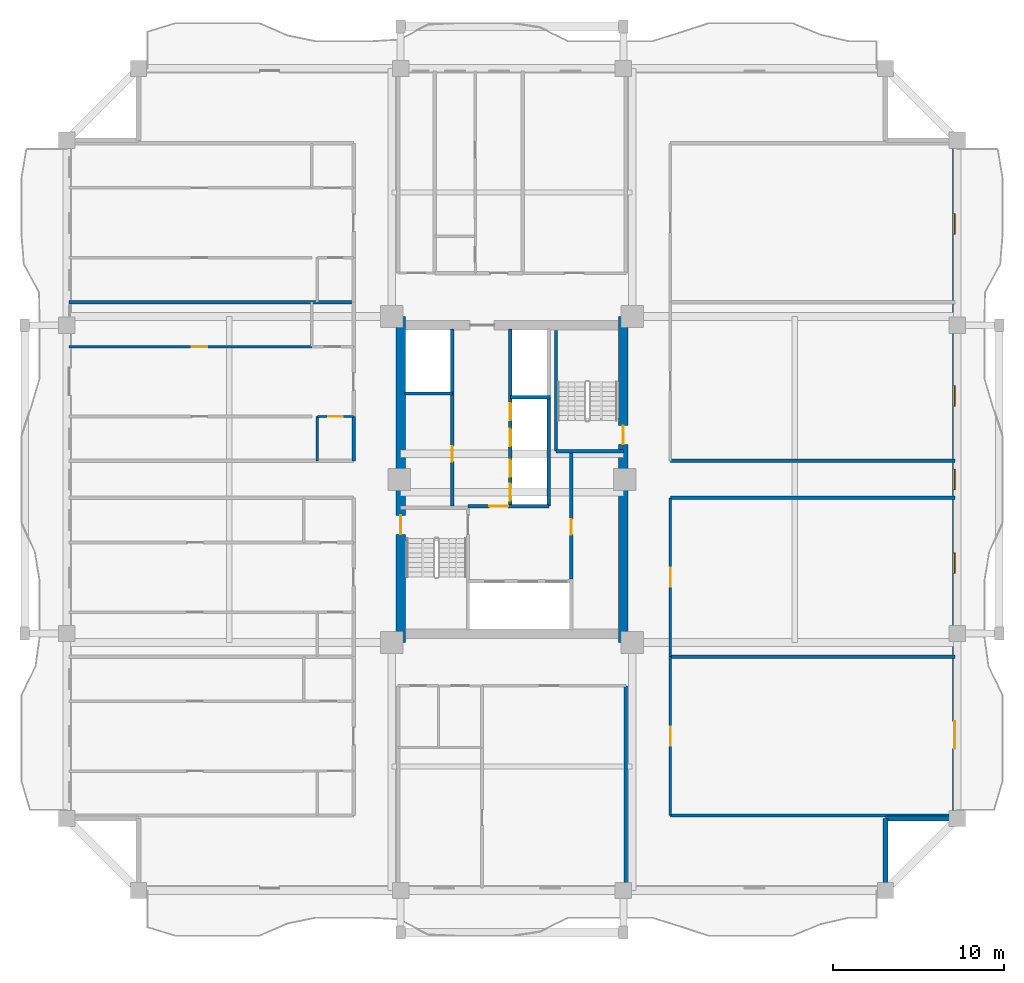
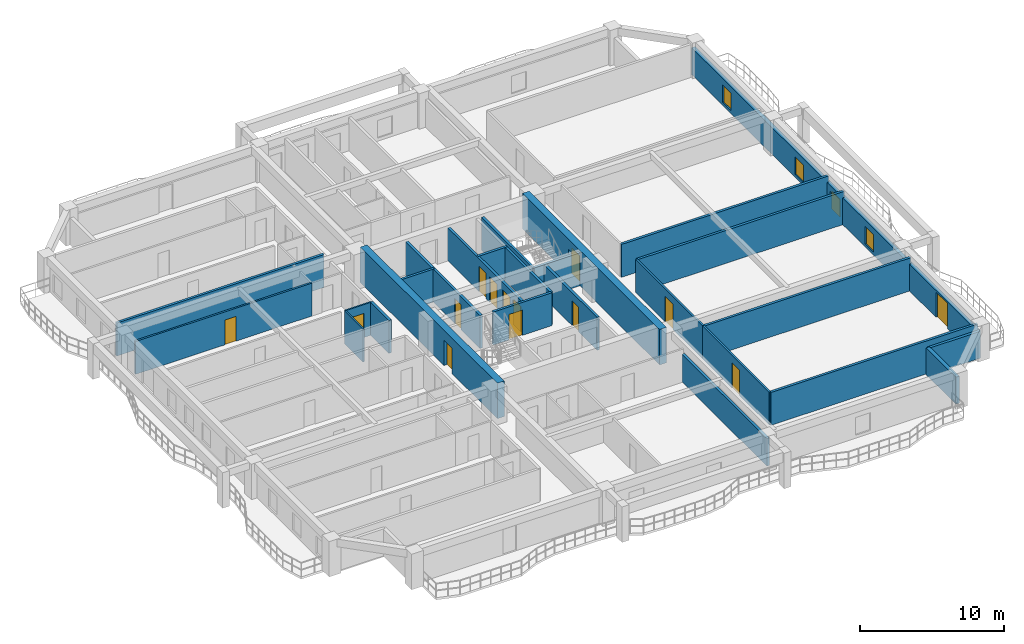
# One storey, part 4 of 11: 26 walls, 14 doors, 4 windows, 18 openings.
"""IFC4 building model written with IfcOpenShell, lengths in metres."""

from ifc_helpers import new_model, si_unit, direction, frame, frame_2d, origin, place, context, subcontext, project, spatial, rectangle, extrude, source, transform, mapped, material, layer, layer_set, type_object, element, fill, save


model = new_model("IFC4")

# Units and contexts
model_context = context("Model", 3, precision=1e-05, world=origin(), true_north=direction((0.0, 1.0)))
body_context = subcontext(model_context, "Body", "Model", "MODEL_VIEW")
ifc_project = project(units=[si_unit("LENGTHUNIT", "METRE"), si_unit("AREAUNIT", "SQUARE_METRE"), si_unit("VOLUMEUNIT", "CUBIC_METRE"), si_unit("PLANEANGLEUNIT", "RADIAN"), si_unit("MASSUNIT", "GRAM", prefix="KILO")], contexts=[model_context])

# Site, building, storey
site_placement = place(None, origin())
site = spatial("IfcSite", under=ifc_project, at=site_placement, CompositionType="ELEMENT")
building_placement = place(site_placement, origin())
building = spatial("IfcBuilding", under=site, at=building_placement, Name="Saelheon Loggia Tower", CompositionType="ELEMENT")
storey_placement = place(building_placement, frame((0.0, 0.0, 138.75)))
storey = spatial("IfcBuildingStorey", under=building, at=storey_placement, Name="L44", CompositionType="ELEMENT", Elevation=138.75)

# Wall, opening, door
ifc_material_1 = material(Name="Concrete C50/60", Category="concrete")
ifc_layer_1 = layer(ifc_material_1, 0.550048828125)
ifc_layer_set_1 = layer_set([ifc_layer_1], Name="Concrete C50/60")
wall_type_1 = type_object("IfcWallType", Name="Wall_CoreShear_550", PredefinedType="SHEAR", material=ifc_layer_set_1)
wall_1_placement = place(storey_placement, frame((31.5, 17.47998046875, 0.0), z_axis=(0.0, 0.0, 1.0), x_axis=(0.0, 1.0, 0.0)))
wall_1 = element("IfcWall", 1, at=wall_1_placement, inside=storey, type_object=wall_type_1, Name="L44 Core Shear Wall West", PredefinedType="SHEAR", context=body_context, shape_type="SweptSolid", body=[
    extrude(rectangle(XDim=19.0400390625, YDim=0.550048828125, at=frame_2d((9.52001953125, 0.0))), origin(), (0.0, 0.0, 1.0), 3.0),
])
opening_1_placement = place(wall_1_placement, frame((6.320068359375, 0.0, 0.0)))
opening_1 = element("IfcOpeningElement", 2, at=opening_1_placement, cuts=wall_1, Name="Opening D-FD2", PredefinedType="OPENING", context=body_context, shape_type="SweptSolid", body=[
    extrude(rectangle(XDim=1.10009765625, YDim=2.14990234375, at=frame_2d((0.550048828125, 1.074951171875))), frame((0.0, 0.287109375, 0.0), z_axis=(0.0, -1.0, 0.0), x_axis=(1.0, 0.0, 0.0)), (0.0, 0.0, 1.0), 0.573974609375),
])
ifc_material_2 = material(Name="Galvanised Steel Fire Door", Category="steel")
door_type_1 = type_object("IfcDoorType", Name="Door_Fire_FD60_1100", OperationType="NOTDEFINED", PredefinedType="DOOR", material=ifc_material_2)
shared_shape_1 = source(origin(), body_context, "Body", "SweptSolid", [
    extrude(rectangle(XDim=1.10009765625, YDim=2.14990234375, at=frame_2d((0.550048828125, 1.074951171875))), frame((0.0, 0.02490234375, 0.0), z_axis=(0.0, -1.0, 0.0), x_axis=(1.0, 0.0, 0.0)), (0.0, 0.0, 1.0), 0.050048828125),
])
door_1_placement = place(opening_1_placement, origin())
door_1 = element("IfcDoor", 3, at=door_1_placement, inside=storey, type_object=door_type_1, Name="L44 Stair ST1 Corridor Door", OperationType="SINGLE_SWING_LEFT", OverallHeight=2.14990234375, OverallWidth=1.10009765625, PredefinedType="DOOR", context=body_context, shape_type="MappedRepresentation", body=[
    mapped(shared_shape_1, transform((0.0, 0.0, 0.0), scale=1.0)),
])
fill(opening_1, door_1)

wall_2_placement = place(storey_placement, frame((44.5, 17.47998046875, 0.0), z_axis=(0.0, 0.0, 1.0), x_axis=(0.0, 1.0, 0.0)))
wall_2 = element("IfcWall", 4, at=wall_2_placement, inside=storey, type_object=wall_type_1, Name="L44 Core Shear Wall East", PredefinedType="SHEAR", context=body_context, shape_type="SweptSolid", body=[
    extrude(rectangle(XDim=19.0400390625, YDim=0.550048828125, at=frame_2d((9.52001953125, 0.0))), origin(), (0.0, 0.0, 1.0), 3.0),
])
opening_2_placement = place(wall_2_placement, frame((12.670166015625, 0.0, 0.0), z_axis=(0.0, 0.0, 1.0), x_axis=(-1.0, 0.0, 0.0)))
opening_2 = element("IfcOpeningElement", 5, at=opening_2_placement, cuts=wall_2, Name="Opening D-FD2", PredefinedType="OPENING", context=body_context, shape_type="SweptSolid", body=[
    extrude(rectangle(XDim=1.10009765625, YDim=2.14990234375, at=frame_2d((0.550048828125, 1.074951171875))), frame((0.0, 0.287109375, 0.0), z_axis=(0.0, -1.0, 0.0), x_axis=(1.0, 0.0, 0.0)), (0.0, 0.0, 1.0), 0.573974609375),
])
door_2_placement = place(opening_2_placement, origin())
door_2 = element("IfcDoor", 6, at=door_2_placement, inside=storey, type_object=door_type_1, Name="L44 Stair ST2 Corridor Door", OperationType="SINGLE_SWING_RIGHT", OverallHeight=2.14990234375, OverallWidth=1.10009765625, PredefinedType="DOOR", context=body_context, shape_type="MappedRepresentation", body=[
    mapped(shared_shape_1, transform((0.0, 0.0, 0.0), scale=1.0)),
])
fill(opening_2, door_2)

# Wall, openings, windows, door
ifc_material_3 = material(Name="Architectural Precast Concrete C40/50", Category="concrete")
ifc_layer_2 = layer(ifc_material_3, 0.280029296875)
ifc_layer_set_2 = layer_set([ifc_layer_2], Name="Architectural Precast Concrete C40/50")
wall_type_2 = type_object("IfcWallType", Name="Wall_Ext_Loggia_280", PredefinedType="SOLIDWALL", material=ifc_layer_set_2)
wall_3_placement = place(storey_placement, frame((63.860107421875, 7.199951171875, 0.0), z_axis=(0.0, 0.0, 1.0), x_axis=(0.0, 1.0, 0.0)))
wall_3 = element("IfcWall", 7, at=wall_3_placement, inside=storey, type_object=wall_type_2, Name="L44 East Loggia Inner Wall", PredefinedType="SOLIDWALL", context=body_context, shape_type="SweptSolid", body=[
    extrude(rectangle(XDim=39.60009765625, YDim=0.280029296875, at=frame_2d((19.800048828125, 0.0))), origin(), (0.0, 0.0, 1.0), 2.280029296875),
])
opening_3_placement = place(wall_3_placement, frame((5.6826171875, 0.0, 0.0), z_axis=(0.0, 0.0, 1.0), x_axis=(-1.0, 0.0, 0.0)))
opening_3 = element("IfcOpeningElement", 8, at=opening_3_placement, cuts=wall_3, Name="Opening DLG-1", PredefinedType="OPENING", context=body_context, shape_type="SweptSolid", body=[
    extrude(rectangle(XDim=1.60009765625, YDim=2.14990234375, at=frame_2d((0.800048828125, 1.074951171875))), frame((0.0, 0.152099609375, 0.0), z_axis=(0.0, -1.0, 0.0), x_axis=(1.0, 0.0, 0.0)), (0.0, 0.0, 1.0), 0.303955078125),
])
opening_4_placement = place(wall_3_placement, frame((14.3173828125, 0.0, 0.25)))
opening_4 = element("IfcOpeningElement", 9, at=opening_4_placement, cuts=wall_3, Name="Opening WN-03", PredefinedType="OPENING", context=body_context, shape_type="SweptSolid", body=[
    extrude(rectangle(XDim=1.199951171875, YDim=1.5, at=frame_2d((0.60009765625, 0.75))), frame((0.0, 0.152099609375, 0.0), z_axis=(0.0, -1.0, 0.0), x_axis=(1.0, 0.0, 0.0)), (0.0, 0.0, 1.0), 0.303955078125),
])
opening_5_placement = place(wall_3_placement, frame((19.199951171875, 0.0, 0.25)))
opening_5 = element("IfcOpeningElement", 10, at=opening_5_placement, cuts=wall_3, Name="Opening WN-03", PredefinedType="OPENING", context=body_context, shape_type="SweptSolid", body=[
    extrude(rectangle(XDim=1.199951171875, YDim=1.5, at=frame_2d((0.60009765625, 0.75))), frame((0.0, 0.152099609375, 0.0), z_axis=(0.0, -1.0, 0.0), x_axis=(1.0, 0.0, 0.0)), (0.0, 0.0, 1.0), 0.303955078125),
])
opening_6_placement = place(wall_3_placement, frame((24.08251953125, 0.0, 0.25)))
opening_6 = element("IfcOpeningElement", 11, at=opening_6_placement, cuts=wall_3, Name="Opening WN-03", PredefinedType="OPENING", context=body_context, shape_type="SweptSolid", body=[
    extrude(rectangle(XDim=1.199951171875, YDim=1.5, at=frame_2d((0.60009765625, 0.75))), frame((0.0, 0.152099609375, 0.0), z_axis=(0.0, -1.0, 0.0), x_axis=(1.0, 0.0, 0.0)), (0.0, 0.0, 1.0), 0.303955078125),
])
opening_7_placement = place(wall_3_placement, frame((34.117431640625, 0.0, 0.25)))
opening_7 = element("IfcOpeningElement", 12, at=opening_7_placement, cuts=wall_3, Name="Opening WN-03", PredefinedType="OPENING", context=body_context, shape_type="SweptSolid", body=[
    extrude(rectangle(XDim=1.199951171875, YDim=1.5, at=frame_2d((0.60009765625, 0.75))), frame((0.0, 0.152099609375, 0.0), z_axis=(0.0, -1.0, 0.0), x_axis=(1.0, 0.0, 0.0)), (0.0, 0.0, 1.0), 0.303955078125),
])
ifc_material_4 = material(Name="Thermal-Break Aluminium and Triple Low-E Glass", Category="aluminium")
window_type = type_object("IfcWindowType", Name="Win_Bedroom_1200x1500", PartitioningType="SINGLE_PANEL", PredefinedType="WINDOW", material=ifc_material_4)
shared_shape_2 = source(origin(), body_context, "Body", "SweptSolid", [
    extrude(rectangle(XDim=1.199951171875, YDim=1.5, at=frame_2d((0.60009765625, 0.75))), frame((0.0, 0.030029296875, 0.0), z_axis=(0.0, -1.0, 0.0), x_axis=(1.0, 0.0, 0.0)), (0.0, 0.0, 1.0), 0.06005859375),
])
window_1_placement = place(opening_4_placement, origin())
window_1 = element("IfcWindow", 13, at=window_1_placement, inside=storey, type_object=window_type, Name="L44 E Dwelling Window 2", OverallHeight=1.5, OverallWidth=1.199951171875, PartitioningType="SINGLE_PANEL", PredefinedType="WINDOW", context=body_context, shape_type="MappedRepresentation", body=[
    mapped(shared_shape_2, transform((0.0, 0.0, 0.0), scale=1.0)),
])
fill(opening_4, window_1)
window_2_placement = place(opening_5_placement, origin())
window_2 = element("IfcWindow", 14, at=window_2_placement, inside=storey, type_object=window_type, Name="L44 E Dwelling Window 3", OverallHeight=1.5, OverallWidth=1.199951171875, PartitioningType="SINGLE_PANEL", PredefinedType="WINDOW", context=body_context, shape_type="MappedRepresentation", body=[
    mapped(shared_shape_2, transform((0.0, 0.0, 0.0), scale=1.0)),
])
fill(opening_5, window_2)
window_3_placement = place(opening_6_placement, origin())
window_3 = element("IfcWindow", 15, at=window_3_placement, inside=storey, type_object=window_type, Name="L44 E Dwelling Window 4", OverallHeight=1.5, OverallWidth=1.199951171875, PartitioningType="SINGLE_PANEL", PredefinedType="WINDOW", context=body_context, shape_type="MappedRepresentation", body=[
    mapped(shared_shape_2, transform((0.0, 0.0, 0.0), scale=1.0)),
])
fill(opening_6, window_3)
window_4_placement = place(opening_7_placement, origin())
window_4 = element("IfcWindow", 16, at=window_4_placement, inside=storey, type_object=window_type, Name="L44 E Dwelling Window 5", OverallHeight=1.5, OverallWidth=1.199951171875, PartitioningType="SINGLE_PANEL", PredefinedType="WINDOW", context=body_context, shape_type="MappedRepresentation", body=[
    mapped(shared_shape_2, transform((0.0, 0.0, 0.0), scale=1.0)),
])
fill(opening_7, window_4)
ifc_material_5 = material(Name="Thermal-Break Aluminium Sliding Glazed Door", Category="aluminium")
door_type_2 = type_object("IfcDoorType", Name="Door_LoggiaSlide_1600", OperationType="SLIDING_TO_LEFT", PredefinedType="DOOR", material=ifc_material_5)
shared_shape_3 = source(origin(), body_context, "Body", "SweptSolid", [
    extrude(rectangle(XDim=1.60009765625, YDim=2.14990234375, at=frame_2d((0.800048828125, 1.074951171875))), frame((0.0, 0.02490234375, 0.0), z_axis=(0.0, -1.0, 0.0), x_axis=(1.0, 0.0, 0.0)), (0.0, 0.0, 1.0), 0.050048828125),
])
door_3_placement = place(opening_3_placement, origin())
door_3 = element("IfcDoor", 17, at=door_3_placement, inside=storey, type_object=door_type_2, Name="L44 E Loggia Access Door", OperationType="SLIDING_TO_LEFT", OverallHeight=2.14990234375, OverallWidth=1.60009765625, PredefinedType="DOOR", context=body_context, shape_type="MappedRepresentation", body=[
    mapped(shared_shape_3, transform((0.0, 0.0, 0.0), scale=1.0)),
])
fill(opening_3, door_3)

# Walls
for number, where, z_axis, x_axis, name in (
    (18, (59.800048828125, 3.080078125, 0.0), (0.0, 0.0, 1.0), (0.0, 1.0, 0.0), "L44 Corner Notch Precast Wall SE1"),
    (19, (59.800048828125, 7.199951171875, 0.0), (0.0, 0.0, 1.0), (1.0, 0.0, 0.0), "L44 Corner Notch Precast Wall SE2"),
):
    element("IfcWall", number, at=place(storey_placement, frame(where, z_axis=z_axis, x_axis=x_axis)), inside=storey, type_object=wall_type_2, Name=name, PredefinedType="SOLIDWALL", context=body_context, shape_type="SweptSolid", body=[
        extrude(rectangle(XDim=4.119873046875, YDim=0.280029296875, at=frame_2d((2.06005859375, 0.0))), origin(), (0.0, 0.0, 1.0), 2.280029296875),
    ])

# Wall, opening, door
ifc_material_6 = material(Name="Lightweight Autoclaved Aerated Concrete Block and Acoustic Gypsum", Category="concrete")
ifc_layer_3 = layer(ifc_material_6, 0.14990234375)
ifc_layer_set_3 = layer_set([ifc_layer_3], Name="Lightweight Autoclaved Aerated Concrete Block and Acoustic Gypsum")
wall_type_3 = type_object("IfcWallType", Name="Wall_Part_150", PredefinedType="PARTITIONING", material=ifc_layer_set_3)
wall_4_placement = place(storey_placement, frame((26.31005859375, 34.75, 0.0), z_axis=(0.0, 0.0, 1.0), x_axis=(-1.0, 0.0, 0.0)))
wall_4 = element("IfcWall", 20, at=wall_4_placement, inside=storey, type_object=wall_type_3, Name="L44 WN Partition U11", PredefinedType="PARTITIONING", context=body_context, shape_type="SweptSolid", body=[
    extrude(rectangle(XDim=14.16015625, YDim=0.14990234375, at=frame_2d((7.080078125, 0.0))), origin(), (0.0, 0.0, 1.0), 2.7900390625),
])
opening_8_placement = place(wall_4_placement, frame((6.097412109375, 0.0, 0.0)))
opening_8 = element("IfcOpeningElement", 21, at=opening_8_placement, cuts=wall_4, Name="Opening D-IN2", PredefinedType="OPENING", context=body_context, shape_type="SweptSolid", body=[
    extrude(rectangle(XDim=0.89990234375, YDim=2.10009765625, at=frame_2d((0.449951171875, 1.050048828125))), frame((0.0, 0.0869140625, 0.0), z_axis=(0.0, -1.0, 0.0), x_axis=(1.0, 0.0, 0.0)), (0.0, 0.0, 1.0), 0.173828125),
])
ifc_material_7 = material(Name="Engineered Oak Flush Door", Category="timber")
door_type_3 = type_object("IfcDoorType", Name="Door_Int_900", OperationType="NOTDEFINED", PredefinedType="DOOR", material=ifc_material_7)
shared_shape_4 = source(origin(), body_context, "Body", "SweptSolid", [
    extrude(rectangle(XDim=0.89990234375, YDim=2.10009765625, at=frame_2d((0.449951171875, 1.050048828125))), frame((0.0, 0.02490234375, 0.0), z_axis=(0.0, -1.0, 0.0), x_axis=(1.0, 0.0, 0.0)), (0.0, 0.0, 1.0), 0.050048828125),
])
door_4_placement = place(opening_8_placement, origin())
door_4 = element("IfcDoor", 22, at=door_4_placement, inside=storey, type_object=door_type_3, Name="Unit U04 Bedroom 1 Door", OperationType="SINGLE_SWING_LEFT", OverallHeight=2.10009765625, OverallWidth=0.89990234375, PredefinedType="DOOR", context=body_context, shape_type="MappedRepresentation", body=[
    mapped(shared_shape_4, transform((0.0, 0.0, 0.0), scale=1.0)),
])
fill(opening_8, door_4)

wall_5_placement = place(storey_placement, frame((47.25, 7.3798828125, 0.0), z_axis=(0.0, 0.0, 1.0), x_axis=(0.0, 1.0, 0.0)))
wall_5 = element("IfcWall", 23, at=wall_5_placement, inside=storey, type_object=wall_type_3, Name="L44 ES Partition V03", PredefinedType="PARTITIONING", context=body_context, shape_type="SweptSolid", body=[
    extrude(rectangle(XDim=9.27001953125, YDim=0.14990234375, at=frame_2d((4.635009765625, 0.0))), origin(), (0.0, 0.0, 1.0), 2.7900390625),
])
opening_9_placement = place(wall_5_placement, frame((4.0849609375, 0.0, 0.0)))
opening_9 = element("IfcOpeningElement", 24, at=opening_9_placement, cuts=wall_5, Name="Opening D-FD2", PredefinedType="OPENING", context=body_context, shape_type="SweptSolid", body=[
    extrude(rectangle(XDim=1.10009765625, YDim=2.14990234375, at=frame_2d((0.550048828125, 1.074951171875))), frame((0.0, 0.0869140625, 0.0), z_axis=(0.0, -1.0, 0.0), x_axis=(1.0, 0.0, 0.0)), (0.0, 0.0, 1.0), 0.173828125),
])
door_5_placement = place(opening_9_placement, origin())
door_5 = element("IfcDoor", 25, at=door_5_placement, inside=storey, type_object=door_type_1, Name="L44 Co-Working Open Plan Office Door A", OperationType="SINGLE_SWING_LEFT", OverallHeight=2.14990234375, OverallWidth=1.10009765625, PredefinedType="DOOR", context=body_context, shape_type="MappedRepresentation", body=[
    mapped(shared_shape_1, transform((0.0, 0.0, 0.0), scale=1.0)),
])
fill(opening_9, door_5)

wall_6_placement = place(storey_placement, frame((47.25, 16.64990234375, 0.0), z_axis=(0.0, 0.0, 1.0), x_axis=(0.0, 1.0, 0.0)))
wall_6 = element("IfcWall", 26, at=wall_6_placement, inside=storey, type_object=wall_type_3, Name="L44 ES Partition V05", PredefinedType="PARTITIONING", context=body_context, shape_type="SweptSolid", body=[
    extrude(rectangle(XDim=9.27001953125, YDim=0.14990234375, at=frame_2d((4.635009765625, 0.0))), origin(), (0.0, 0.0, 1.0), 2.7900390625),
])
opening_10_placement = place(wall_6_placement, frame((4.0849609375, 0.0, 0.0)))
opening_10 = element("IfcOpeningElement", 27, at=opening_10_placement, cuts=wall_6, Name="Opening D-FD2", PredefinedType="OPENING", context=body_context, shape_type="SweptSolid", body=[
    extrude(rectangle(XDim=1.10009765625, YDim=2.14990234375, at=frame_2d((0.550048828125, 1.074951171875))), frame((0.0, 0.0869140625, 0.0), z_axis=(0.0, -1.0, 0.0), x_axis=(1.0, 0.0, 0.0)), (0.0, 0.0, 1.0), 0.173828125),
])
door_6_placement = place(opening_10_placement, origin())
door_6 = element("IfcDoor", 28, at=door_6_placement, inside=storey, type_object=door_type_1, Name="L44 Co-Working Open Plan Office Door A", OperationType="SINGLE_SWING_RIGHT", OverallHeight=2.14990234375, OverallWidth=1.10009765625, PredefinedType="DOOR", context=body_context, shape_type="MappedRepresentation", body=[
    mapped(shared_shape_1, transform((0.0, 0.0, 0.0), scale=1.0)),
])
fill(opening_10, door_6)

# Walls
ifc_material_8 = material(Name="Double Acoustic Stud and Fireboard Partition", Category="gypsum")
ifc_layer_4 = layer(ifc_material_8, 0.199951171875)
ifc_layer_set_4 = layer_set([ifc_layer_4], Name="Double Acoustic Stud and Fireboard Partition")
wall_type_4 = type_object("IfcWallType", Name="Wall_Party_200", PredefinedType="PARTITIONING", material=ifc_layer_set_4)
wall_7_placement = place(storey_placement, frame((44.64990234375, 14.949951171875, 0.0), z_axis=(0.0, 0.0, 1.0), x_axis=(0.0, -1.0, 0.0)))
element("IfcWall", 29, at=wall_7_placement, inside=storey, type_object=wall_type_4, Name="L44 S Partition U02", PredefinedType="PARTITIONING", context=body_context, shape_type="SweptSolid", body=[
    extrude(rectangle(XDim=11.800048828125, YDim=0.199951171875, at=frame_2d((5.89990234375, 0.0))), origin(), (0.0, 0.0, 1.0), 2.340087890625),
])
wall_8_placement = place(storey_placement, frame((28.75, 28.080078125, 0.0), z_axis=(0.0, 0.0, 1.0), x_axis=(0.0, 1.0, 0.0)))
element("IfcWall", 30, at=wall_8_placement, inside=storey, type_object=wall_type_4, Name="L44 WN Partition V03", PredefinedType="PARTITIONING", context=body_context, shape_type="SweptSolid", body=[
    extrude(rectangle(XDim=2.595458984375, YDim=0.199951171875, at=frame_2d((1.2978515625, 0.0))), origin(), (0.0, 0.0, 1.0), 2.7900390625),
])
for number, where, z_axis, x_axis, name in (
    (31, (28.75, 37.35009765625, 0.0), (0.0, 0.0, 1.0), (-1.0, 0.0, 0.0), "L44 WN Partition U12"),
    (32, (47.25, 7.3798828125, 0.0), (0.0, 0.0, 1.0), (1.0, 0.0, 0.0), "L44 ES Partition U01"),
    (33, (47.25, 25.919921875, 0.0), (0.0, 0.0, 1.0), (1.0, 0.0, 0.0), "L44 ES Partition U02"),
    (34, (47.25, 16.64990234375, 0.0), (0.0, 0.0, 1.0), (1.0, 0.0, 0.0), "L44 ES Partition U04"),
    (35, (47.25, 28.080078125, 0.0), (0.0, 0.0, 1.0), (1.0, 0.0, 0.0), "L44 EN Partition U01"),
):
    element("IfcWall", number, at=place(storey_placement, frame(where, z_axis=z_axis, x_axis=x_axis)), inside=storey, type_object=wall_type_4, Name=name, PredefinedType="PARTITIONING", context=body_context, shape_type="SweptSolid", body=[
        extrude(rectangle(XDim=16.60009765625, YDim=0.199951171875, at=frame_2d((8.300048828125, 0.0))), origin(), (0.0, 0.0, 1.0), 2.7900390625),
    ])

# Wall, opening, door
ifc_material_9 = material(Name="Concrete C40/50", Category="concrete")
ifc_layer_5 = layer(ifc_material_9, 0.199951171875)
ifc_layer_set_5 = layer_set([ifc_layer_5], Name="Concrete C40/50")
wall_type_5 = type_object("IfcWallType", Name="Wall_Shaft_200", PredefinedType="PARTITIONING", material=ifc_layer_set_5)
wall_9_placement = place(storey_placement, frame((41.449951171875, 21.179931640625, 0.0), z_axis=(0.0, 0.0, 1.0), x_axis=(0.0, 1.0, 0.0)))
wall_9 = element("IfcWall", 36, at=wall_9_placement, inside=storey, type_object=wall_type_5, Name="CW-INT-L44-BOH-W1", PredefinedType="PARTITIONING", context=body_context, shape_type="SweptSolid", body=[
    extrude(rectangle(XDim=7.420166015625, YDim=0.199951171875, at=frame_2d((3.7099609375, 0.0))), origin(), (0.0, 0.0, 1.0), 2.7900390625),
])
opening_11_placement = place(wall_9_placement, frame((2.60009765625, 0.0, 0.0)))
opening_11 = element("IfcOpeningElement", 37, at=opening_11_placement, cuts=wall_9, Name="Opening D-RS1", PredefinedType="OPENING", context=body_context, shape_type="SweptSolid", body=[
    extrude(rectangle(XDim=0.89990234375, YDim=2.10009765625, at=frame_2d((0.449951171875, 1.050048828125))), frame((0.0, 0.112060546875, 0.0), z_axis=(0.0, -1.0, 0.0), x_axis=(1.0, 0.0, 0.0)), (0.0, 0.0, 1.0), 0.223876953125),
])
ifc_material_10 = material(Name="Galvanised Steel Riser Access Door", Category="steel")
door_type_4 = type_object("IfcDoorType", Name="Door_Riser_FD60", OperationType="NOTDEFINED", PredefinedType="DOOR", material=ifc_material_10)
door_7_placement = place(opening_11_placement, origin())
door_7 = element("IfcDoor", 38, at=door_7_placement, inside=storey, type_object=door_type_4, Name="L44 Core Service Store Door", OperationType="SINGLE_SWING_RIGHT", OverallHeight=2.10009765625, OverallWidth=0.89990234375, PredefinedType="DOOR", context=body_context, shape_type="MappedRepresentation", body=[
    mapped(shared_shape_4, transform((0.0, 0.0, 0.0), scale=1.0)),
])
fill(opening_11, door_7)

# Wall
wall_10_placement = place(storey_placement, frame((40.14990234375, 25.43994140625, 0.0), z_axis=(0.0, 0.0, 1.0), x_axis=(0.0, 1.0, 0.0)))
element("IfcWall", 39, at=wall_10_placement, inside=storey, type_object=wall_type_5, Name="L44 Core Service Passage West Wall", PredefinedType="PARTITIONING", context=body_context, shape_type="SweptSolid", body=[
    extrude(rectangle(XDim=6.360107421875, YDim=0.199951171875, at=frame_2d((3.18017578125, 0.0))), origin(), (0.0, 0.0, 1.0), 2.7900390625),
])

# Wall, opening, door
wall_11_placement = place(storey_placement, frame((35.429931640625, 25.43994140625, 0.0), z_axis=(0.0, 0.0, 1.0), x_axis=(1.0, 0.0, 0.0)))
wall_11 = element("IfcWall", 40, at=wall_11_placement, inside=storey, type_object=wall_type_5, Name="L44 Firefighting Lobby Compartment Wall", PredefinedType="PARTITIONING", context=body_context, shape_type="SweptSolid", body=[
    extrude(rectangle(XDim=4.719970703125, YDim=0.199951171875, at=frame_2d((2.35986328125, 0.0))), origin(), (0.0, 0.0, 1.0), 2.7900390625),
])
opening_12_placement = place(wall_11_placement, frame((1.25, 0.0, 0.0)))
opening_12 = element("IfcOpeningElement", 41, at=opening_12_placement, cuts=wall_11, Name="Opening D-FD2", PredefinedType="OPENING", context=body_context, shape_type="SweptSolid", body=[
    extrude(rectangle(XDim=1.10009765625, YDim=2.14990234375, at=frame_2d((0.550048828125, 1.074951171875))), frame((0.0, 0.112060546875, 0.0), z_axis=(0.0, -1.0, 0.0), x_axis=(1.0, 0.0, 0.0)), (0.0, 0.0, 1.0), 0.223876953125),
])
door_8_placement = place(opening_12_placement, origin())
door_8 = element("IfcDoor", 42, at=door_8_placement, inside=storey, type_object=door_type_1, Name="L44 Firefighting Lobby Door", OperationType="SINGLE_SWING_LEFT", OverallHeight=2.14990234375, OverallWidth=1.10009765625, PredefinedType="DOOR", context=body_context, shape_type="MappedRepresentation", body=[
    mapped(shared_shape_1, transform((0.0, 0.0, 0.0), scale=1.0)),
])
fill(opening_12, door_8)

wall_12_placement = place(storey_placement, frame((34.52001953125, 25.43994140625, 0.0), z_axis=(0.0, 0.0, 1.0), x_axis=(0.0, 1.0, 0.0)))
wall_12 = element("IfcWall", 43, at=wall_12_placement, inside=storey, type_object=wall_type_5, Name="L44 West Passenger Lift Bank Wall", PredefinedType="PARTITIONING", context=body_context, shape_type="SweptSolid", body=[
    extrude(rectangle(XDim=10.340087890625, YDim=0.199951171875, at=frame_2d((5.169921875, 0.0))), origin(), (0.0, 0.0, 1.0), 2.7900390625),
])
opening_13_placement = place(wall_12_placement, frame((2.60009765625, 0.0, 0.0)))
opening_13 = element("IfcOpeningElement", 44, at=opening_13_placement, cuts=wall_12, Name="Opening D-RS1", PredefinedType="OPENING", context=body_context, shape_type="SweptSolid", body=[
    extrude(rectangle(XDim=0.89990234375, YDim=2.10009765625, at=frame_2d((0.449951171875, 1.050048828125))), frame((0.0, 0.112060546875, 0.0), z_axis=(0.0, -1.0, 0.0), x_axis=(1.0, 0.0, 0.0)), (0.0, 0.0, 1.0), 0.223876953125),
])
door_9_placement = place(opening_13_placement, origin())
door_9 = element("IfcDoor", 45, at=door_9_placement, inside=storey, type_object=door_type_4, Name="L44 Core Parcel Room Door", OperationType="SINGLE_SWING_LEFT", OverallHeight=2.10009765625, OverallWidth=0.89990234375, PredefinedType="DOOR", context=body_context, shape_type="MappedRepresentation", body=[
    mapped(shared_shape_4, transform((0.0, 0.0, 0.0), scale=1.0)),
])
fill(opening_13, door_9)

# Wall
wall_13_placement = place(storey_placement, frame((31.719970703125, 32.02001953125, 0.0), z_axis=(0.0, 0.0, 1.0), x_axis=(1.0, 0.0, 0.0)))
element("IfcWall", 46, at=wall_13_placement, inside=storey, type_object=wall_type_5, Name="L44 West High-Rise Shaft Divider", PredefinedType="PARTITIONING", context=body_context, shape_type="SweptSolid", body=[
    extrude(rectangle(XDim=2.800048828125, YDim=0.199951171875, at=frame_2d((1.39990234375, 0.0))), origin(), (0.0, 0.0, 1.0), 2.7900390625),
])

# Wall, openings, doors
wall_14_placement = place(storey_placement, frame((37.89990234375, 25.43994140625, 0.0), z_axis=(0.0, 0.0, 1.0), x_axis=(0.0, 1.0, 0.0)))
wall_14 = element("IfcWall", 47, at=wall_14_placement, inside=storey, type_object=wall_type_5, Name="L44 East Passenger Lift Bank Wall", PredefinedType="PARTITIONING", context=body_context, shape_type="SweptSolid", body=[
    extrude(rectangle(XDim=10.340087890625, YDim=0.199951171875, at=frame_2d((5.169921875, 0.0))), origin(), (0.0, 0.0, 1.0), 2.7900390625),
])
opening_14_placement = place(wall_14_placement, frame((0.320068359375, 0.0, 0.0)))
opening_14 = element("IfcOpeningElement", 48, at=opening_14_placement, cuts=wall_14, Name="Opening LD1", PredefinedType="OPENING", context=body_context, shape_type="SweptSolid", body=[
    extrude(rectangle(XDim=1.0, YDim=2.14990234375, at=frame_2d((0.5, 1.074951171875))), frame((0.0, 0.112060546875, 0.0), z_axis=(0.0, -1.0, 0.0), x_axis=(1.0, 0.0, 0.0)), (0.0, 0.0, 1.0), 0.223876953125),
])
opening_15_placement = place(wall_14_placement, frame((1.7099609375, 0.0, 0.0)))
opening_15 = element("IfcOpeningElement", 49, at=opening_15_placement, cuts=wall_14, Name="Opening LD1", PredefinedType="OPENING", context=body_context, shape_type="SweptSolid", body=[
    extrude(rectangle(XDim=1.0, YDim=2.14990234375, at=frame_2d((0.5, 1.074951171875))), frame((0.0, 0.112060546875, 0.0), z_axis=(0.0, -1.0, 0.0), x_axis=(1.0, 0.0, 0.0)), (0.0, 0.0, 1.0), 0.223876953125),
])
opening_16_placement = place(wall_14_placement, frame((3.510009765625, 0.0, 0.0)))
opening_16 = element("IfcOpeningElement", 50, at=opening_16_placement, cuts=wall_14, Name="Opening LD1", PredefinedType="OPENING", context=body_context, shape_type="SweptSolid", body=[
    extrude(rectangle(XDim=1.0, YDim=2.14990234375, at=frame_2d((0.5, 1.074951171875))), frame((0.0, 0.112060546875, 0.0), z_axis=(0.0, -1.0, 0.0), x_axis=(1.0, 0.0, 0.0)), (0.0, 0.0, 1.0), 0.223876953125),
])
opening_17_placement = place(wall_14_placement, frame((5.010009765625, 0.0, 0.0)))
opening_17 = element("IfcOpeningElement", 51, at=opening_17_placement, cuts=wall_14, Name="Opening LD1", PredefinedType="OPENING", context=body_context, shape_type="SweptSolid", body=[
    extrude(rectangle(XDim=1.0, YDim=2.14990234375, at=frame_2d((0.5, 1.074951171875))), frame((0.0, 0.112060546875, 0.0), z_axis=(0.0, -1.0, 0.0), x_axis=(1.0, 0.0, 0.0)), (0.0, 0.0, 1.0), 0.223876953125),
])
ifc_material_11 = material(Name="Brushed Stainless Steel 304 Landing Door", Category="steel")
door_type_5 = type_object("IfcDoorType", Name="Door_Lift_LD1", OperationType="DOUBLE_DOOR_SLIDING", PredefinedType="DOOR", material=ifc_material_11)
shared_shape_5 = source(origin(), body_context, "Body", "SweptSolid", [
    extrude(rectangle(XDim=1.0, YDim=2.14990234375, at=frame_2d((0.5, 1.074951171875))), frame((0.0, 0.02490234375, 0.0), z_axis=(0.0, -1.0, 0.0), x_axis=(1.0, 0.0, 0.0)), (0.0, 0.0, 1.0), 0.050048828125),
])
door_10_placement = place(opening_14_placement, origin())
door_10 = element("IfcDoor", 52, at=door_10_placement, inside=storey, type_object=door_type_5, Name="L44 PM1 Landing Door", OperationType="DOUBLE_DOOR_SLIDING", OverallHeight=2.14990234375, OverallWidth=1.0, PredefinedType="DOOR", context=body_context, shape_type="MappedRepresentation", body=[
    mapped(shared_shape_5, transform((0.0, 0.0, 0.0), scale=1.0)),
])
fill(opening_14, door_10)
door_11_placement = place(opening_15_placement, origin())
door_11 = element("IfcDoor", 53, at=door_11_placement, inside=storey, type_object=door_type_5, Name="L44 PM2 Landing Door", OperationType="DOUBLE_DOOR_SLIDING", OverallHeight=2.14990234375, OverallWidth=1.0, PredefinedType="DOOR", context=body_context, shape_type="MappedRepresentation", body=[
    mapped(shared_shape_5, transform((0.0, 0.0, 0.0), scale=1.0)),
])
fill(opening_15, door_11)
door_12_placement = place(opening_16_placement, origin())
door_12 = element("IfcDoor", 54, at=door_12_placement, inside=storey, type_object=door_type_5, Name="L44 PM3 Landing Door", OperationType="DOUBLE_DOOR_SLIDING", OverallHeight=2.14990234375, OverallWidth=1.0, PredefinedType="DOOR", context=body_context, shape_type="MappedRepresentation", body=[
    mapped(shared_shape_5, transform((0.0, 0.0, 0.0), scale=1.0)),
])
fill(opening_16, door_12)
door_13_placement = place(opening_17_placement, origin())
door_13 = element("IfcDoor", 55, at=door_13_placement, inside=storey, type_object=door_type_5, Name="L44 PM4 Landing Door", OperationType="DOUBLE_DOOR_SLIDING", OverallHeight=2.14990234375, OverallWidth=1.0, PredefinedType="DOOR", context=body_context, shape_type="MappedRepresentation", body=[
    mapped(shared_shape_5, transform((0.0, 0.0, 0.0), scale=1.0)),
])
fill(opening_17, door_13)

# Walls
wall_15_placement = place(storey_placement, frame((37.89990234375, 31.800048828125, 0.0), z_axis=(0.0, 0.0, 1.0), x_axis=(1.0, 0.0, 0.0)))
element("IfcWall", 56, at=wall_15_placement, inside=storey, type_object=wall_type_5, Name="L44 East High-Rise Shaft Divider", PredefinedType="PARTITIONING", context=body_context, shape_type="SweptSolid", body=[
    extrude(rectangle(XDim=2.35009765625, YDim=0.199951171875, at=frame_2d((1.175048828125, 0.0))), origin(), (0.0, 0.0, 1.0), 2.7900390625),
])
ifc_material_12 = material(Name="Concrete C45/55", Category="concrete")
ifc_layer_6 = layer(ifc_material_12, 0.199951171875)
ifc_layer_set_6 = layer_set([ifc_layer_6], Name="Concrete C45/55")
wall_type_6 = type_object("IfcWallType", Name="Wall_StairShaft_RC200", PredefinedType="SOLIDWALL", material=ifc_layer_set_6)
wall_16_placement = place(storey_placement, frame((40.570068359375, 28.64990234375, 0.0), z_axis=(0.0, 0.0, 1.0), x_axis=(0.0, 1.0, 0.0)))
element("IfcWall", 57, at=wall_16_placement, inside=storey, type_object=wall_type_6, Name="L44 Stair ST2 Shaft Wall", PredefinedType="SOLIDWALL", context=body_context, shape_type="SweptSolid", body=[
    extrude(rectangle(XDim=7.050048828125, YDim=0.199951171875, at=frame_2d((3.52490234375, 0.0))), origin(), (0.0, 0.0, 1.0), 2.7900390625),
])
wall_17_placement = place(storey_placement, frame((40.570068359375, 28.64990234375, 0.0), z_axis=(0.0, 0.0, 1.0), x_axis=(1.0, 0.0, 0.0)))
element("IfcWall", 58, at=wall_17_placement, inside=storey, type_object=wall_type_6, Name="L44 Stair ST2 South Wall", PredefinedType="SOLIDWALL", context=body_context, shape_type="SweptSolid", body=[
    extrude(rectangle(XDim=3.929931640625, YDim=0.199951171875, at=frame_2d((1.96484375, 0.0))), origin(), (0.0, 0.0, 1.0), 2.7900390625),
])
ifc_material_13 = material(Name="Moisture-Resistant Cement Board Partition", Category="gypsum")
ifc_layer_7 = layer(ifc_material_13, 0.1201171875)
ifc_layer_set_7 = layer_set([ifc_layer_7], Name="Moisture-Resistant Cement Board Partition")
wall_type_7 = type_object("IfcWallType", Name="Wall_WetPart_120", PredefinedType="PARTITIONING", material=ifc_layer_set_7)
wall_18_placement = place(storey_placement, frame((26.6298828125, 28.080078125, 0.0), z_axis=(0.0, 0.0, 1.0), x_axis=(0.0, 1.0, 0.0)))
element("IfcWall", 59, at=wall_18_placement, inside=storey, type_object=wall_type_7, Name="L44 WN Partition V06", PredefinedType="PARTITIONING", context=body_context, shape_type="SweptSolid", body=[
    extrude(rectangle(XDim=2.595458984375, YDim=0.1201171875, at=frame_2d((1.2978515625, 0.0))), origin(), (0.0, 0.0, 1.0), 2.7900390625),
])

# Wall, opening, door
wall_19_placement = place(storey_placement, frame((28.75, 30.675537109375, 0.0), z_axis=(0.0, 0.0, 1.0), x_axis=(-1.0, 0.0, 0.0)))
wall_19 = element("IfcWall", 60, at=wall_19_placement, inside=storey, type_object=wall_type_7, Name="L44 WN Partition U08", PredefinedType="PARTITIONING", context=body_context, shape_type="SweptSolid", body=[
    extrude(rectangle(XDim=2.1201171875, YDim=0.1201171875, at=frame_2d((1.06005859375, 0.0))), origin(), (0.0, 0.0, 1.0), 2.7900390625),
])
opening_18_placement = place(wall_19_placement, frame((0.635009765625, 0.0, 0.0)))
opening_18 = element("IfcOpeningElement", 61, at=opening_18_placement, cuts=wall_19, Name="Opening D-BT1", PredefinedType="OPENING", context=body_context, shape_type="SweptSolid", body=[
    extrude(rectangle(XDim=0.85009765625, YDim=2.050048828125, at=frame_2d((0.425048828125, 1.02490234375))), frame((0.0, 0.072021484375, 0.0), z_axis=(0.0, -1.0, 0.0), x_axis=(1.0, 0.0, 0.0)), (0.0, 0.0, 1.0), 0.14404296875),
])
ifc_material_14 = material(Name="Moisture-Resistant Laminate Timber Door", Category="wood")
door_type_6 = type_object("IfcDoorType", Name="Door_Bath_850", OperationType="NOTDEFINED", PredefinedType="DOOR", material=ifc_material_14)
shared_shape_6 = source(origin(), body_context, "Body", "SweptSolid", [
    extrude(rectangle(XDim=0.85009765625, YDim=2.050048828125, at=frame_2d((0.425048828125, 1.02490234375))), frame((0.0, 0.02490234375, 0.0), z_axis=(0.0, -1.0, 0.0), x_axis=(1.0, 0.0, 0.0)), (0.0, 0.0, 1.0), 0.050048828125),
])
door_14_placement = place(opening_18_placement, origin())
door_14 = element("IfcDoor", 62, at=door_14_placement, inside=storey, type_object=door_type_6, Name="Unit U04 Bathroom Door", OperationType="SINGLE_SWING_RIGHT", OverallHeight=2.050048828125, OverallWidth=0.85009765625, PredefinedType="DOOR", context=body_context, shape_type="MappedRepresentation", body=[
    mapped(shared_shape_6, transform((0.0, 0.0, 0.0), scale=1.0)),
])
fill(opening_18, door_14)

save(model, "model.ifc")
